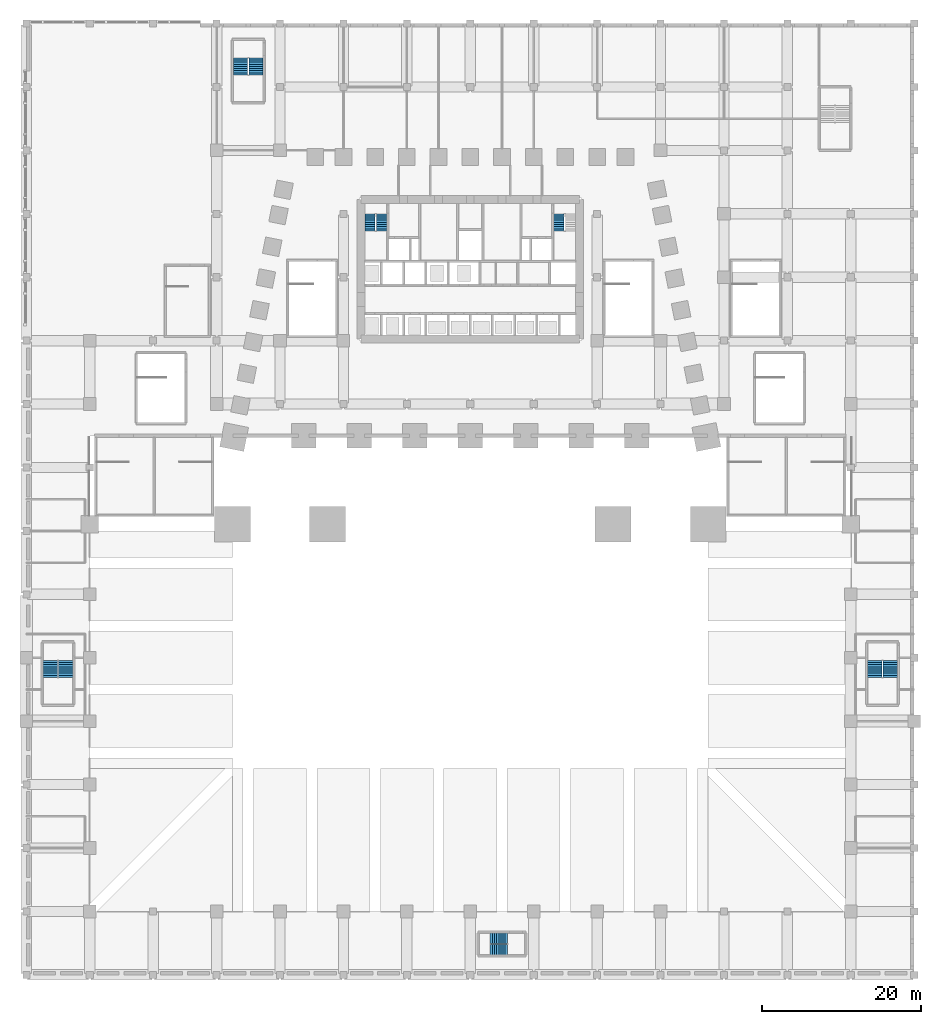
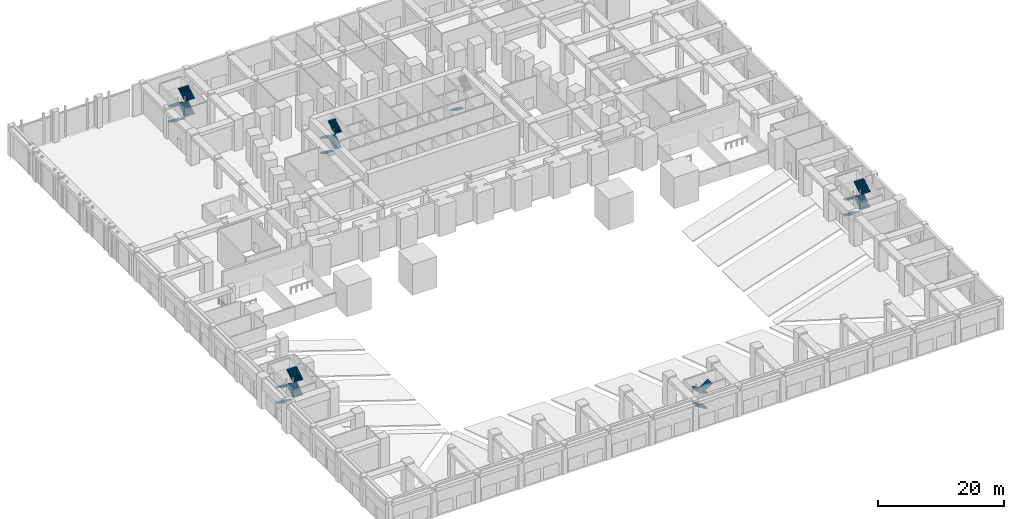
# One storey, part 16 of 28: 20 stair flights, 6 elements without a shape of their own.
"""IFC4 building model written with IfcOpenShell, lengths in metres."""

from ifc_helpers import new_model, si_unit, direction, frame, origin, place, context, subcontext, project, spatial, polyline, outline, extrude, material, type_object, element, aggregate, save


model = new_model("IFC4")

# Units and contexts
model_context = context("Model", 3, precision=1e-05, world=origin(), true_north=direction((0.0, 1.0)))
body_context = subcontext(model_context, "Body", "Model", "MODEL_VIEW")
ifc_project = project(units=[si_unit("LENGTHUNIT", "METRE"), si_unit("AREAUNIT", "SQUARE_METRE"), si_unit("VOLUMEUNIT", "CUBIC_METRE"), si_unit("PLANEANGLEUNIT", "RADIAN"), si_unit("MASSUNIT", "GRAM", prefix="KILO")], contexts=[model_context])

# Site, building, storey
site_placement = place(None, origin())
site = spatial("IfcSite", under=ifc_project, at=site_placement, CompositionType="ELEMENT")
building_placement = place(site_placement, origin())
building = spatial("IfcBuilding", under=site, at=building_placement, Name="Isbrekke Arena Tower", CompositionType="ELEMENT")
storey_placement = place(building_placement, origin())
storey = spatial("IfcBuildingStorey", under=building, at=storey_placement, Name="L00", CompositionType="ELEMENT", Elevation=0.0)

# Stair, stair flights
ifc_material_1 = material(Name="Concrete B45 (C45/55) precast", Category="concrete")
stair_type_1 = type_object("IfcStairType", Name="ST60 STAIR 1300 WIDE, 36 RISERS 167", PredefinedType="HALF_TURN_STAIR", material=ifc_material_1)
stair_1_placement = place(storey_placement, origin())
stair_1 = element("IfcStair", 1, at=stair_1_placement, inside=storey, type_object=stair_type_1, Name="ST1 stair L00", PredefinedType="HALF_TURN_STAIR")
ifc_material_2 = material(Name="Concrete B45 (C45/55) precast", Category="concrete")
stair_flight_type_1 = type_object("IfcStairFlightType", Name="SF 1300 FLIGHT", PredefinedType="STRAIGHT", material=ifc_material_2)
stair_flight_1_placement = place(storey_placement, frame((-12.64990234375, 22.0, 0.0), z_axis=(0.0, 0.0, 1.0), x_axis=(0.0, -1.0, 0.0)))
stair_flight_1 = element("IfcStairFlight", 2, at=stair_flight_1_placement, type_object=stair_flight_type_1, Name="ST1 flight 1", NumberOfRisers=9, NumberOfTreads=8, PredefinedType="STRAIGHT", RiserHeight=0.166666667, TreadLength=0.27, context=body_context, shape_type="SweptSolid", body=[
    extrude(outline(polyline([(0.0, 0.0), (0.0, 0.166748046875), (0.27001953125, 0.166748046875), (0.27001953125, 0.333251953125), (0.5400390625, 0.333251953125), (0.5400390625, 0.5), (0.81005859375, 0.5), (0.81005859375, 0.666748046875), (1.080078125, 0.666748046875), (1.080078125, 0.833251953125), (1.35009765625, 0.833251953125), (1.35009765625, 1.0), (1.6201171875, 1.0), (1.6201171875, 1.166748046875), (1.889892578125, 1.166748046875), (1.889892578125, 1.333251953125), (2.159912109375, 1.333251953125), (2.159912109375, 1.5), (2.159912109375, 1.1572265625), (0.285400390625, 0.0), (0.0, 0.0)])), frame((0.0, 0.64990234375, 0.0), z_axis=(0.0, -1.0, 0.0), x_axis=(1.0, 0.0, 0.0)), (0.0, 0.0, 1.0), 1.300048828125),
])
stair_flight_2_placement = place(storey_placement, frame((-11.175048828125, 19.840087890625, 1.5), z_axis=(0.0, 0.0, 1.0), x_axis=(0.0, 1.0, 0.0)))
stair_flight_2 = element("IfcStairFlight", 3, at=stair_flight_2_placement, type_object=stair_flight_type_1, Name="ST1 flight 2", NumberOfRisers=9, NumberOfTreads=8, PredefinedType="STRAIGHT", RiserHeight=0.166666667, TreadLength=0.27, context=body_context, shape_type="SweptSolid", body=[
    extrude(outline(polyline([(0.0, 0.0), (0.0, 0.166748046875), (0.27001953125, 0.166748046875), (0.27001953125, 0.333251953125), (0.5400390625, 0.333251953125), (0.5400390625, 0.5), (0.81005859375, 0.5), (0.81005859375, 0.666748046875), (1.080078125, 0.666748046875), (1.080078125, 0.833251953125), (1.35009765625, 0.833251953125), (1.35009765625, 1.0), (1.6201171875, 1.0), (1.6201171875, 1.166748046875), (1.889892578125, 1.166748046875), (1.889892578125, 1.333251953125), (2.159912109375, 1.333251953125), (2.159912109375, 1.5), (2.159912109375, 1.1572265625), (0.285400390625, 0.0), (0.0, 0.0)])), frame((0.0, 0.64990234375, 0.0), z_axis=(0.0, -1.0, 0.0), x_axis=(1.0, 0.0, 0.0)), (0.0, 0.0, 1.0), 1.300048828125),
])
stair_flight_3_placement = place(storey_placement, frame((-12.64990234375, 22.0, 3.0), z_axis=(0.0, 0.0, 1.0), x_axis=(0.0, -1.0, 0.0)))
stair_flight_3 = element("IfcStairFlight", 4, at=stair_flight_3_placement, type_object=stair_flight_type_1, Name="ST1 flight 3", NumberOfRisers=9, NumberOfTreads=8, PredefinedType="STRAIGHT", RiserHeight=0.166666667, TreadLength=0.27, context=body_context, shape_type="SweptSolid", body=[
    extrude(outline(polyline([(0.0, 0.0), (0.0, 0.166748046875), (0.27001953125, 0.166748046875), (0.27001953125, 0.333251953125), (0.5400390625, 0.333251953125), (0.5400390625, 0.5), (0.81005859375, 0.5), (0.81005859375, 0.666748046875), (1.080078125, 0.666748046875), (1.080078125, 0.833251953125), (1.35009765625, 0.833251953125), (1.35009765625, 1.0), (1.6201171875, 1.0), (1.6201171875, 1.166748046875), (1.889892578125, 1.166748046875), (1.889892578125, 1.333251953125), (2.159912109375, 1.333251953125), (2.159912109375, 1.5), (2.159912109375, 1.1572265625), (0.285400390625, 0.0), (0.0, 0.0)])), frame((0.0, 0.64990234375, 0.0), z_axis=(0.0, -1.0, 0.0), x_axis=(1.0, 0.0, 0.0)), (0.0, 0.0, 1.0), 1.300048828125),
])
stair_flight_4_placement = place(storey_placement, frame((-11.175048828125, 19.840087890625, 4.5), z_axis=(0.0, 0.0, 1.0), x_axis=(0.0, 1.0, 0.0)))
stair_flight_4 = element("IfcStairFlight", 5, at=stair_flight_4_placement, type_object=stair_flight_type_1, Name="ST1 flight 4", NumberOfRisers=9, NumberOfTreads=8, PredefinedType="STRAIGHT", RiserHeight=0.166666667, TreadLength=0.27, context=body_context, shape_type="SweptSolid", body=[
    extrude(outline(polyline([(0.0, 0.0), (0.0, 0.166748046875), (0.27001953125, 0.166748046875), (0.27001953125, 0.333251953125), (0.5400390625, 0.333251953125), (0.5400390625, 0.5), (0.81005859375, 0.5), (0.81005859375, 0.666748046875), (1.080078125, 0.666748046875), (1.080078125, 0.833251953125), (1.35009765625, 0.833251953125), (1.35009765625, 1.0), (1.6201171875, 1.0), (1.6201171875, 1.166748046875), (1.889892578125, 1.166748046875), (1.889892578125, 1.333251953125), (2.159912109375, 1.333251953125), (2.159912109375, 1.5), (2.159912109375, 1.1572265625), (0.285400390625, 0.0), (0.0, 0.0)])), frame((0.0, 0.64990234375, 0.0), z_axis=(0.0, -1.0, 0.0), x_axis=(1.0, 0.0, 0.0)), (0.0, 0.0, 1.0), 1.300048828125),
])
aggregate(stair_1, [stair_flight_1, stair_flight_2, stair_flight_3, stair_flight_4])

# Stair, stair flight
stair_2_placement = place(storey_placement, origin())
stair_2 = element("IfcStair", 6, at=stair_2_placement, inside=storey, type_object=stair_type_1, Name="ST2 stair L00", PredefinedType="HALF_TURN_STAIR")
stair_flight_5_placement = place(storey_placement, frame((11.175048828125, 22.0, 0.0), z_axis=(0.0, 0.0, 1.0), x_axis=(0.0, -1.0, 0.0)))
stair_flight_5 = element("IfcStairFlight", 7, at=stair_flight_5_placement, type_object=stair_flight_type_1, Name="ST2 flight 1", NumberOfRisers=9, NumberOfTreads=8, PredefinedType="STRAIGHT", RiserHeight=0.166666667, TreadLength=0.27, context=body_context, shape_type="SweptSolid", body=[
    extrude(outline(polyline([(0.0, 0.0), (0.0, 0.166748046875), (0.27001953125, 0.166748046875), (0.27001953125, 0.333251953125), (0.5400390625, 0.333251953125), (0.5400390625, 0.5), (0.81005859375, 0.5), (0.81005859375, 0.666748046875), (1.080078125, 0.666748046875), (1.080078125, 0.833251953125), (1.35009765625, 0.833251953125), (1.35009765625, 1.0), (1.6201171875, 1.0), (1.6201171875, 1.166748046875), (1.889892578125, 1.166748046875), (1.889892578125, 1.333251953125), (2.159912109375, 1.333251953125), (2.159912109375, 1.5), (2.159912109375, 1.1572265625), (0.285400390625, 0.0), (0.0, 0.0)])), frame((0.0, 0.64990234375, 0.0), z_axis=(0.0, -1.0, 0.0), x_axis=(1.0, 0.0, 0.0)), (0.0, 0.0, 1.0), 1.300048828125),
])
aggregate(stair_2, [stair_flight_5])

# Stair, stair flights
stair_3_placement = place(storey_placement, origin())
stair_3 = element("IfcStair", 8, at=stair_3_placement, inside=storey, type_object=stair_type_1, Name="P5 stair L00", PredefinedType="HALF_TURN_STAIR")
stair_flight_6_placement = place(storey_placement, frame((4.675048828125, -69.375, 0.0), z_axis=(0.0, 0.0, 1.0), x_axis=(-1.0, 0.0, 0.0)))
stair_flight_6 = element("IfcStairFlight", 9, at=stair_flight_6_placement, type_object=stair_flight_type_1, Name="P5 flight 1", NumberOfRisers=9, NumberOfTreads=8, PredefinedType="STRAIGHT", RiserHeight=0.166666667, TreadLength=0.27, context=body_context, shape_type="SweptSolid", body=[
    extrude(outline(polyline([(0.0, 0.0), (0.0, 0.166748046875), (0.27001953125, 0.166748046875), (0.27001953125, 0.333251953125), (0.5400390625, 0.333251953125), (0.5400390625, 0.5), (0.81005859375, 0.5), (0.81005859375, 0.666748046875), (1.080078125, 0.666748046875), (1.080078125, 0.833251953125), (1.35009765625, 0.833251953125), (1.35009765625, 1.0), (1.6201171875, 1.0), (1.6201171875, 1.166748046875), (1.889892578125, 1.166748046875), (1.889892578125, 1.333251953125), (2.159912109375, 1.333251953125), (2.159912109375, 1.5), (2.159912109375, 1.1572265625), (0.285400390625, 0.0), (0.0, 0.0)])), frame((0.0, 0.64990234375, 0.0), z_axis=(0.0, -1.0, 0.0), x_axis=(1.0, 0.0, 0.0)), (0.0, 0.0, 1.0), 1.300048828125),
])
stair_flight_7_placement = place(storey_placement, frame((4.675048828125, -69.375, 3.0), z_axis=(0.0, 0.0, 1.0), x_axis=(-1.0, 0.0, 0.0)))
stair_flight_7 = element("IfcStairFlight", 10, at=stair_flight_7_placement, type_object=stair_flight_type_1, Name="P5 flight 3", NumberOfRisers=9, NumberOfTreads=8, PredefinedType="STRAIGHT", RiserHeight=0.166666667, TreadLength=0.27, context=body_context, shape_type="SweptSolid", body=[
    extrude(outline(polyline([(0.0, 0.0), (0.0, 0.166748046875), (0.27001953125, 0.166748046875), (0.27001953125, 0.333251953125), (0.5400390625, 0.333251953125), (0.5400390625, 0.5), (0.81005859375, 0.5), (0.81005859375, 0.666748046875), (1.080078125, 0.666748046875), (1.080078125, 0.833251953125), (1.35009765625, 0.833251953125), (1.35009765625, 1.0), (1.6201171875, 1.0), (1.6201171875, 1.166748046875), (1.889892578125, 1.166748046875), (1.889892578125, 1.333251953125), (2.159912109375, 1.333251953125), (2.159912109375, 1.5), (2.159912109375, 1.1572265625), (0.285400390625, 0.0), (0.0, 0.0)])), frame((0.0, 0.64990234375, 0.0), z_axis=(0.0, -1.0, 0.0), x_axis=(1.0, 0.0, 0.0)), (0.0, 0.0, 1.0), 1.300048828125),
])
stair_flight_8_placement = place(storey_placement, frame((2.514892578125, -70.824951171875, 4.5), z_axis=(0.0, 0.0, 1.0), x_axis=(1.0, 0.0, 0.0)))
stair_flight_8 = element("IfcStairFlight", 11, at=stair_flight_8_placement, type_object=stair_flight_type_1, Name="P5 flight 4", NumberOfRisers=9, NumberOfTreads=8, PredefinedType="STRAIGHT", RiserHeight=0.166666667, TreadLength=0.27, context=body_context, shape_type="SweptSolid", body=[
    extrude(outline(polyline([(0.0, 0.0), (0.0, 0.166748046875), (0.27001953125, 0.166748046875), (0.27001953125, 0.333251953125), (0.5400390625, 0.333251953125), (0.5400390625, 0.5), (0.81005859375, 0.5), (0.81005859375, 0.666748046875), (1.080078125, 0.666748046875), (1.080078125, 0.833251953125), (1.35009765625, 0.833251953125), (1.35009765625, 1.0), (1.6201171875, 1.0), (1.6201171875, 1.166748046875), (1.889892578125, 1.166748046875), (1.889892578125, 1.333251953125), (2.159912109375, 1.333251953125), (2.159912109375, 1.5), (2.159912109375, 1.1572265625), (0.285400390625, 0.0), (0.0, 0.0)])), frame((0.0, 0.64990234375, 0.0), z_axis=(0.0, -1.0, 0.0), x_axis=(1.0, 0.0, 0.0)), (0.0, 0.0, 1.0), 1.300048828125),
])
aggregate(stair_3, [stair_flight_6, stair_flight_7, stair_flight_8])

ifc_material_3 = material(Name="Concrete B45 (C45/55) precast", Category="concrete")
stair_type_2 = type_object("IfcStairType", Name="ST60 STAIR 1800 WIDE, 36 RISERS 167", PredefinedType="HALF_TURN_STAIR", material=ifc_material_3)
stair_4_placement = place(storey_placement, origin())
stair_4 = element("IfcStair", 12, at=stair_4_placement, inside=storey, type_object=stair_type_2, Name="P2 stair L00", PredefinedType="HALF_TURN_STAIR")
ifc_material_4 = material(Name="Concrete B45 (C45/55) precast", Category="concrete")
stair_flight_type_2 = type_object("IfcStairFlightType", Name="SF 1800 FLIGHT", PredefinedType="STRAIGHT", material=ifc_material_4)
stair_flight_9_placement = place(storey_placement, frame((-28.97509765625, 41.675048828125, 0.0), z_axis=(0.0, 0.0, 1.0), x_axis=(0.0, -1.0, 0.0)))
stair_flight_9 = element("IfcStairFlight", 13, at=stair_flight_9_placement, type_object=stair_flight_type_2, Name="P2 flight 1", NumberOfRisers=9, NumberOfTreads=8, PredefinedType="STRAIGHT", RiserHeight=0.166666667, TreadLength=0.27, context=body_context, shape_type="SweptSolid", body=[
    extrude(outline(polyline([(0.0, 0.0), (0.0, 0.166748046875), (0.27001953125, 0.166748046875), (0.27001953125, 0.333251953125), (0.5400390625, 0.333251953125), (0.5400390625, 0.5), (0.81005859375, 0.5), (0.81005859375, 0.666748046875), (1.080078125, 0.666748046875), (1.080078125, 0.833251953125), (1.35009765625, 0.833251953125), (1.35009765625, 1.0), (1.6201171875, 1.0), (1.6201171875, 1.166748046875), (1.889892578125, 1.166748046875), (1.889892578125, 1.333251953125), (2.159912109375, 1.333251953125), (2.159912109375, 1.5), (2.159912109375, 1.1572265625), (0.285400390625, 0.0), (0.0, 0.0)])), frame((0.0, 0.89990234375, 0.0), z_axis=(0.0, -1.0, 0.0), x_axis=(1.0, 0.0, 0.0)), (0.0, 0.0, 1.0), 0.90087890625),
    extrude(outline(polyline([(0.0, 0.0), (0.0, 0.166748046875), (0.27001953125, 0.166748046875), (0.27001953125, 0.333251953125), (0.5400390625, 0.333251953125), (0.5400390625, 0.5), (0.81005859375, 0.5), (0.81005859375, 0.666748046875), (1.080078125, 0.666748046875), (1.080078125, 0.833251953125), (1.35009765625, 0.833251953125), (1.35009765625, 1.0), (1.6201171875, 1.0), (1.6201171875, 1.166748046875), (1.889892578125, 1.166748046875), (1.889892578125, 1.333251953125), (2.159912109375, 1.333251953125), (2.159912109375, 1.5), (2.159912109375, 1.1572265625), (0.285400390625, 0.0), (0.0, 0.0)])), frame((0.0, 0.0009765625, 0.0), z_axis=(0.0, -1.0, 0.0), x_axis=(1.0, 0.0, 0.0)), (0.0, 0.0, 1.0), 0.90087890625),
])
stair_flight_10_placement = place(storey_placement, frame((-27.02490234375, 39.514892578125, 1.5), z_axis=(0.0, 0.0, 1.0), x_axis=(0.0, 1.0, 0.0)))
stair_flight_10 = element("IfcStairFlight", 14, at=stair_flight_10_placement, type_object=stair_flight_type_2, Name="P2 flight 2", NumberOfRisers=9, NumberOfTreads=8, PredefinedType="STRAIGHT", RiserHeight=0.166666667, TreadLength=0.27, context=body_context, shape_type="SweptSolid", body=[
    extrude(outline(polyline([(0.0, 0.0), (0.0, 0.166748046875), (0.27001953125, 0.166748046875), (0.27001953125, 0.333251953125), (0.5400390625, 0.333251953125), (0.5400390625, 0.5), (0.81005859375, 0.5), (0.81005859375, 0.666748046875), (1.080078125, 0.666748046875), (1.080078125, 0.833251953125), (1.35009765625, 0.833251953125), (1.35009765625, 1.0), (1.6201171875, 1.0), (1.6201171875, 1.166748046875), (1.889892578125, 1.166748046875), (1.889892578125, 1.333251953125), (2.159912109375, 1.333251953125), (2.159912109375, 1.5), (2.159912109375, 1.1572265625), (0.285400390625, 0.0), (0.0, 0.0)])), frame((0.0, 0.89990234375, 0.0), z_axis=(0.0, -1.0, 0.0), x_axis=(1.0, 0.0, 0.0)), (0.0, 0.0, 1.0), 0.90087890625),
    extrude(outline(polyline([(0.0, 0.0), (0.0, 0.166748046875), (0.27001953125, 0.166748046875), (0.27001953125, 0.333251953125), (0.5400390625, 0.333251953125), (0.5400390625, 0.5), (0.81005859375, 0.5), (0.81005859375, 0.666748046875), (1.080078125, 0.666748046875), (1.080078125, 0.833251953125), (1.35009765625, 0.833251953125), (1.35009765625, 1.0), (1.6201171875, 1.0), (1.6201171875, 1.166748046875), (1.889892578125, 1.166748046875), (1.889892578125, 1.333251953125), (2.159912109375, 1.333251953125), (2.159912109375, 1.5), (2.159912109375, 1.1572265625), (0.285400390625, 0.0), (0.0, 0.0)])), frame((0.0, 0.0009765625, 0.0), z_axis=(0.0, -1.0, 0.0), x_axis=(1.0, 0.0, 0.0)), (0.0, 0.0, 1.0), 0.90087890625),
])
stair_flight_11_placement = place(storey_placement, frame((-28.97509765625, 41.675048828125, 3.0), z_axis=(0.0, 0.0, 1.0), x_axis=(0.0, -1.0, 0.0)))
stair_flight_11 = element("IfcStairFlight", 15, at=stair_flight_11_placement, type_object=stair_flight_type_2, Name="P2 flight 3", NumberOfRisers=9, NumberOfTreads=8, PredefinedType="STRAIGHT", RiserHeight=0.166666667, TreadLength=0.27, context=body_context, shape_type="SweptSolid", body=[
    extrude(outline(polyline([(0.0, 0.0), (0.0, 0.166748046875), (0.27001953125, 0.166748046875), (0.27001953125, 0.333251953125), (0.5400390625, 0.333251953125), (0.5400390625, 0.5), (0.81005859375, 0.5), (0.81005859375, 0.666748046875), (1.080078125, 0.666748046875), (1.080078125, 0.833251953125), (1.35009765625, 0.833251953125), (1.35009765625, 1.0), (1.6201171875, 1.0), (1.6201171875, 1.166748046875), (1.889892578125, 1.166748046875), (1.889892578125, 1.333251953125), (2.159912109375, 1.333251953125), (2.159912109375, 1.5), (2.159912109375, 1.1572265625), (0.285400390625, 0.0), (0.0, 0.0)])), frame((0.0, 0.89990234375, 0.0), z_axis=(0.0, -1.0, 0.0), x_axis=(1.0, 0.0, 0.0)), (0.0, 0.0, 1.0), 0.90087890625),
    extrude(outline(polyline([(0.0, 0.0), (0.0, 0.166748046875), (0.27001953125, 0.166748046875), (0.27001953125, 0.333251953125), (0.5400390625, 0.333251953125), (0.5400390625, 0.5), (0.81005859375, 0.5), (0.81005859375, 0.666748046875), (1.080078125, 0.666748046875), (1.080078125, 0.833251953125), (1.35009765625, 0.833251953125), (1.35009765625, 1.0), (1.6201171875, 1.0), (1.6201171875, 1.166748046875), (1.889892578125, 1.166748046875), (1.889892578125, 1.333251953125), (2.159912109375, 1.333251953125), (2.159912109375, 1.5), (2.159912109375, 1.1572265625), (0.285400390625, 0.0), (0.0, 0.0)])), frame((0.0, 0.0009765625, 0.0), z_axis=(0.0, -1.0, 0.0), x_axis=(1.0, 0.0, 0.0)), (0.0, 0.0, 1.0), 0.90087890625),
])
stair_flight_12_placement = place(storey_placement, frame((-27.02490234375, 39.514892578125, 4.5), z_axis=(0.0, 0.0, 1.0), x_axis=(0.0, 1.0, 0.0)))
stair_flight_12 = element("IfcStairFlight", 16, at=stair_flight_12_placement, type_object=stair_flight_type_2, Name="P2 flight 4", NumberOfRisers=9, NumberOfTreads=8, PredefinedType="STRAIGHT", RiserHeight=0.166666667, TreadLength=0.27, context=body_context, shape_type="SweptSolid", body=[
    extrude(outline(polyline([(0.0, 0.0), (0.0, 0.166748046875), (0.27001953125, 0.166748046875), (0.27001953125, 0.333251953125), (0.5400390625, 0.333251953125), (0.5400390625, 0.5), (0.81005859375, 0.5), (0.81005859375, 0.666748046875), (1.080078125, 0.666748046875), (1.080078125, 0.833251953125), (1.35009765625, 0.833251953125), (1.35009765625, 1.0), (1.6201171875, 1.0), (1.6201171875, 1.166748046875), (1.889892578125, 1.166748046875), (1.889892578125, 1.333251953125), (2.159912109375, 1.333251953125), (2.159912109375, 1.5), (2.159912109375, 1.1572265625), (0.285400390625, 0.0), (0.0, 0.0)])), frame((0.0, 0.89990234375, 0.0), z_axis=(0.0, -1.0, 0.0), x_axis=(1.0, 0.0, 0.0)), (0.0, 0.0, 1.0), 0.90087890625),
    extrude(outline(polyline([(0.0, 0.0), (0.0, 0.166748046875), (0.27001953125, 0.166748046875), (0.27001953125, 0.333251953125), (0.5400390625, 0.333251953125), (0.5400390625, 0.5), (0.81005859375, 0.5), (0.81005859375, 0.666748046875), (1.080078125, 0.666748046875), (1.080078125, 0.833251953125), (1.35009765625, 0.833251953125), (1.35009765625, 1.0), (1.6201171875, 1.0), (1.6201171875, 1.166748046875), (1.889892578125, 1.166748046875), (1.889892578125, 1.333251953125), (2.159912109375, 1.333251953125), (2.159912109375, 1.5), (2.159912109375, 1.1572265625), (0.285400390625, 0.0), (0.0, 0.0)])), frame((0.0, 0.0009765625, 0.0), z_axis=(0.0, -1.0, 0.0), x_axis=(1.0, 0.0, 0.0)), (0.0, 0.0, 1.0), 0.90087890625),
])
aggregate(stair_4, [stair_flight_9, stair_flight_10, stair_flight_11, stair_flight_12])

stair_5_placement = place(storey_placement, origin())
stair_5 = element("IfcStair", 17, at=stair_5_placement, inside=storey, type_object=stair_type_2, Name="P3 stair L00", PredefinedType="HALF_TURN_STAIR")
stair_flight_13_placement = place(storey_placement, frame((51.02490234375, -34.324951171875, 0.0), z_axis=(0.0, 0.0, 1.0), x_axis=(0.0, -1.0, 0.0)))
stair_flight_13 = element("IfcStairFlight", 18, at=stair_flight_13_placement, type_object=stair_flight_type_2, Name="P3 flight 1", NumberOfRisers=9, NumberOfTreads=8, PredefinedType="STRAIGHT", RiserHeight=0.166666667, TreadLength=0.27, context=body_context, shape_type="SweptSolid", body=[
    extrude(outline(polyline([(0.0, 0.0), (0.0, 0.166748046875), (0.27001953125, 0.166748046875), (0.27001953125, 0.333251953125), (0.5400390625, 0.333251953125), (0.5400390625, 0.5), (0.81005859375, 0.5), (0.81005859375, 0.666748046875), (1.080078125, 0.666748046875), (1.080078125, 0.833251953125), (1.35009765625, 0.833251953125), (1.35009765625, 1.0), (1.6201171875, 1.0), (1.6201171875, 1.166748046875), (1.889892578125, 1.166748046875), (1.889892578125, 1.333251953125), (2.159912109375, 1.333251953125), (2.159912109375, 1.5), (2.159912109375, 1.1572265625), (0.285400390625, 0.0), (0.0, 0.0)])), frame((0.0, 0.89990234375, 0.0), z_axis=(0.0, -1.0, 0.0), x_axis=(1.0, 0.0, 0.0)), (0.0, 0.0, 1.0), 0.90087890625),
    extrude(outline(polyline([(0.0, 0.0), (0.0, 0.166748046875), (0.27001953125, 0.166748046875), (0.27001953125, 0.333251953125), (0.5400390625, 0.333251953125), (0.5400390625, 0.5), (0.81005859375, 0.5), (0.81005859375, 0.666748046875), (1.080078125, 0.666748046875), (1.080078125, 0.833251953125), (1.35009765625, 0.833251953125), (1.35009765625, 1.0), (1.6201171875, 1.0), (1.6201171875, 1.166748046875), (1.889892578125, 1.166748046875), (1.889892578125, 1.333251953125), (2.159912109375, 1.333251953125), (2.159912109375, 1.5), (2.159912109375, 1.1572265625), (0.285400390625, 0.0), (0.0, 0.0)])), frame((0.0, 0.0009765625, 0.0), z_axis=(0.0, -1.0, 0.0), x_axis=(1.0, 0.0, 0.0)), (0.0, 0.0, 1.0), 0.90087890625),
])
stair_flight_14_placement = place(storey_placement, frame((52.97509765625, -36.485107421875, 1.5), z_axis=(0.0, 0.0, 1.0), x_axis=(0.0, 1.0, 0.0)))
stair_flight_14 = element("IfcStairFlight", 19, at=stair_flight_14_placement, type_object=stair_flight_type_2, Name="P3 flight 2", NumberOfRisers=9, NumberOfTreads=8, PredefinedType="STRAIGHT", RiserHeight=0.166666667, TreadLength=0.27, context=body_context, shape_type="SweptSolid", body=[
    extrude(outline(polyline([(0.0, 0.0), (0.0, 0.166748046875), (0.27001953125, 0.166748046875), (0.27001953125, 0.333251953125), (0.5400390625, 0.333251953125), (0.5400390625, 0.5), (0.81005859375, 0.5), (0.81005859375, 0.666748046875), (1.080078125, 0.666748046875), (1.080078125, 0.833251953125), (1.35009765625, 0.833251953125), (1.35009765625, 1.0), (1.6201171875, 1.0), (1.6201171875, 1.166748046875), (1.889892578125, 1.166748046875), (1.889892578125, 1.333251953125), (2.159912109375, 1.333251953125), (2.159912109375, 1.5), (2.159912109375, 1.1572265625), (0.285400390625, 0.0), (0.0, 0.0)])), frame((0.0, 0.89990234375, 0.0), z_axis=(0.0, -1.0, 0.0), x_axis=(1.0, 0.0, 0.0)), (0.0, 0.0, 1.0), 0.90087890625),
    extrude(outline(polyline([(0.0, 0.0), (0.0, 0.166748046875), (0.27001953125, 0.166748046875), (0.27001953125, 0.333251953125), (0.5400390625, 0.333251953125), (0.5400390625, 0.5), (0.81005859375, 0.5), (0.81005859375, 0.666748046875), (1.080078125, 0.666748046875), (1.080078125, 0.833251953125), (1.35009765625, 0.833251953125), (1.35009765625, 1.0), (1.6201171875, 1.0), (1.6201171875, 1.166748046875), (1.889892578125, 1.166748046875), (1.889892578125, 1.333251953125), (2.159912109375, 1.333251953125), (2.159912109375, 1.5), (2.159912109375, 1.1572265625), (0.285400390625, 0.0), (0.0, 0.0)])), frame((0.0, 0.0009765625, 0.0), z_axis=(0.0, -1.0, 0.0), x_axis=(1.0, 0.0, 0.0)), (0.0, 0.0, 1.0), 0.90087890625),
])
stair_flight_15_placement = place(storey_placement, frame((51.02490234375, -34.324951171875, 3.0), z_axis=(0.0, 0.0, 1.0), x_axis=(0.0, -1.0, 0.0)))
stair_flight_15 = element("IfcStairFlight", 20, at=stair_flight_15_placement, type_object=stair_flight_type_2, Name="P3 flight 3", NumberOfRisers=9, NumberOfTreads=8, PredefinedType="STRAIGHT", RiserHeight=0.166666667, TreadLength=0.27, context=body_context, shape_type="SweptSolid", body=[
    extrude(outline(polyline([(0.0, 0.0), (0.0, 0.166748046875), (0.27001953125, 0.166748046875), (0.27001953125, 0.333251953125), (0.5400390625, 0.333251953125), (0.5400390625, 0.5), (0.81005859375, 0.5), (0.81005859375, 0.666748046875), (1.080078125, 0.666748046875), (1.080078125, 0.833251953125), (1.35009765625, 0.833251953125), (1.35009765625, 1.0), (1.6201171875, 1.0), (1.6201171875, 1.166748046875), (1.889892578125, 1.166748046875), (1.889892578125, 1.333251953125), (2.159912109375, 1.333251953125), (2.159912109375, 1.5), (2.159912109375, 1.1572265625), (0.285400390625, 0.0), (0.0, 0.0)])), frame((0.0, 0.89990234375, 0.0), z_axis=(0.0, -1.0, 0.0), x_axis=(1.0, 0.0, 0.0)), (0.0, 0.0, 1.0), 0.90087890625),
    extrude(outline(polyline([(0.0, 0.0), (0.0, 0.166748046875), (0.27001953125, 0.166748046875), (0.27001953125, 0.333251953125), (0.5400390625, 0.333251953125), (0.5400390625, 0.5), (0.81005859375, 0.5), (0.81005859375, 0.666748046875), (1.080078125, 0.666748046875), (1.080078125, 0.833251953125), (1.35009765625, 0.833251953125), (1.35009765625, 1.0), (1.6201171875, 1.0), (1.6201171875, 1.166748046875), (1.889892578125, 1.166748046875), (1.889892578125, 1.333251953125), (2.159912109375, 1.333251953125), (2.159912109375, 1.5), (2.159912109375, 1.1572265625), (0.285400390625, 0.0), (0.0, 0.0)])), frame((0.0, 0.0009765625, 0.0), z_axis=(0.0, -1.0, 0.0), x_axis=(1.0, 0.0, 0.0)), (0.0, 0.0, 1.0), 0.90087890625),
])
stair_flight_16_placement = place(storey_placement, frame((52.97509765625, -36.485107421875, 4.5), z_axis=(0.0, 0.0, 1.0), x_axis=(0.0, 1.0, 0.0)))
stair_flight_16 = element("IfcStairFlight", 21, at=stair_flight_16_placement, type_object=stair_flight_type_2, Name="P3 flight 4", NumberOfRisers=9, NumberOfTreads=8, PredefinedType="STRAIGHT", RiserHeight=0.166666667, TreadLength=0.27, context=body_context, shape_type="SweptSolid", body=[
    extrude(outline(polyline([(0.0, 0.0), (0.0, 0.166748046875), (0.27001953125, 0.166748046875), (0.27001953125, 0.333251953125), (0.5400390625, 0.333251953125), (0.5400390625, 0.5), (0.81005859375, 0.5), (0.81005859375, 0.666748046875), (1.080078125, 0.666748046875), (1.080078125, 0.833251953125), (1.35009765625, 0.833251953125), (1.35009765625, 1.0), (1.6201171875, 1.0), (1.6201171875, 1.166748046875), (1.889892578125, 1.166748046875), (1.889892578125, 1.333251953125), (2.159912109375, 1.333251953125), (2.159912109375, 1.5), (2.159912109375, 1.1572265625), (0.285400390625, 0.0), (0.0, 0.0)])), frame((0.0, 0.89990234375, 0.0), z_axis=(0.0, -1.0, 0.0), x_axis=(1.0, 0.0, 0.0)), (0.0, 0.0, 1.0), 0.90087890625),
    extrude(outline(polyline([(0.0, 0.0), (0.0, 0.166748046875), (0.27001953125, 0.166748046875), (0.27001953125, 0.333251953125), (0.5400390625, 0.333251953125), (0.5400390625, 0.5), (0.81005859375, 0.5), (0.81005859375, 0.666748046875), (1.080078125, 0.666748046875), (1.080078125, 0.833251953125), (1.35009765625, 0.833251953125), (1.35009765625, 1.0), (1.6201171875, 1.0), (1.6201171875, 1.166748046875), (1.889892578125, 1.166748046875), (1.889892578125, 1.333251953125), (2.159912109375, 1.333251953125), (2.159912109375, 1.5), (2.159912109375, 1.1572265625), (0.285400390625, 0.0), (0.0, 0.0)])), frame((0.0, 0.0009765625, 0.0), z_axis=(0.0, -1.0, 0.0), x_axis=(1.0, 0.0, 0.0)), (0.0, 0.0, 1.0), 0.90087890625),
])
aggregate(stair_5, [stair_flight_13, stair_flight_14, stair_flight_15, stair_flight_16])

stair_6_placement = place(storey_placement, origin())
stair_6 = element("IfcStair", 22, at=stair_6_placement, inside=storey, type_object=stair_type_2, Name="P4 stair L00", PredefinedType="HALF_TURN_STAIR")
stair_flight_17_placement = place(storey_placement, frame((-52.97509765625, -34.324951171875, 0.0), z_axis=(0.0, 0.0, 1.0), x_axis=(0.0, -1.0, 0.0)))
stair_flight_17 = element("IfcStairFlight", 23, at=stair_flight_17_placement, type_object=stair_flight_type_2, Name="P4 flight 1", NumberOfRisers=9, NumberOfTreads=8, PredefinedType="STRAIGHT", RiserHeight=0.166666667, TreadLength=0.27, context=body_context, shape_type="SweptSolid", body=[
    extrude(outline(polyline([(0.0, 0.0), (0.0, 0.166748046875), (0.27001953125, 0.166748046875), (0.27001953125, 0.333251953125), (0.5400390625, 0.333251953125), (0.5400390625, 0.5), (0.81005859375, 0.5), (0.81005859375, 0.666748046875), (1.080078125, 0.666748046875), (1.080078125, 0.833251953125), (1.35009765625, 0.833251953125), (1.35009765625, 1.0), (1.6201171875, 1.0), (1.6201171875, 1.166748046875), (1.889892578125, 1.166748046875), (1.889892578125, 1.333251953125), (2.159912109375, 1.333251953125), (2.159912109375, 1.5), (2.159912109375, 1.1572265625), (0.285400390625, 0.0), (0.0, 0.0)])), frame((0.0, 0.89990234375, 0.0), z_axis=(0.0, -1.0, 0.0), x_axis=(1.0, 0.0, 0.0)), (0.0, 0.0, 1.0), 0.90087890625),
    extrude(outline(polyline([(0.0, 0.0), (0.0, 0.166748046875), (0.27001953125, 0.166748046875), (0.27001953125, 0.333251953125), (0.5400390625, 0.333251953125), (0.5400390625, 0.5), (0.81005859375, 0.5), (0.81005859375, 0.666748046875), (1.080078125, 0.666748046875), (1.080078125, 0.833251953125), (1.35009765625, 0.833251953125), (1.35009765625, 1.0), (1.6201171875, 1.0), (1.6201171875, 1.166748046875), (1.889892578125, 1.166748046875), (1.889892578125, 1.333251953125), (2.159912109375, 1.333251953125), (2.159912109375, 1.5), (2.159912109375, 1.1572265625), (0.285400390625, 0.0), (0.0, 0.0)])), frame((0.0, 0.0009765625, 0.0), z_axis=(0.0, -1.0, 0.0), x_axis=(1.0, 0.0, 0.0)), (0.0, 0.0, 1.0), 0.90087890625),
])
stair_flight_18_placement = place(storey_placement, frame((-51.02490234375, -36.485107421875, 1.5), z_axis=(0.0, 0.0, 1.0), x_axis=(0.0, 1.0, 0.0)))
stair_flight_18 = element("IfcStairFlight", 24, at=stair_flight_18_placement, type_object=stair_flight_type_2, Name="P4 flight 2", NumberOfRisers=9, NumberOfTreads=8, PredefinedType="STRAIGHT", RiserHeight=0.166666667, TreadLength=0.27, context=body_context, shape_type="SweptSolid", body=[
    extrude(outline(polyline([(0.0, 0.0), (0.0, 0.166748046875), (0.27001953125, 0.166748046875), (0.27001953125, 0.333251953125), (0.5400390625, 0.333251953125), (0.5400390625, 0.5), (0.81005859375, 0.5), (0.81005859375, 0.666748046875), (1.080078125, 0.666748046875), (1.080078125, 0.833251953125), (1.35009765625, 0.833251953125), (1.35009765625, 1.0), (1.6201171875, 1.0), (1.6201171875, 1.166748046875), (1.889892578125, 1.166748046875), (1.889892578125, 1.333251953125), (2.159912109375, 1.333251953125), (2.159912109375, 1.5), (2.159912109375, 1.1572265625), (0.285400390625, 0.0), (0.0, 0.0)])), frame((0.0, 0.89990234375, 0.0), z_axis=(0.0, -1.0, 0.0), x_axis=(1.0, 0.0, 0.0)), (0.0, 0.0, 1.0), 0.90087890625),
    extrude(outline(polyline([(0.0, 0.0), (0.0, 0.166748046875), (0.27001953125, 0.166748046875), (0.27001953125, 0.333251953125), (0.5400390625, 0.333251953125), (0.5400390625, 0.5), (0.81005859375, 0.5), (0.81005859375, 0.666748046875), (1.080078125, 0.666748046875), (1.080078125, 0.833251953125), (1.35009765625, 0.833251953125), (1.35009765625, 1.0), (1.6201171875, 1.0), (1.6201171875, 1.166748046875), (1.889892578125, 1.166748046875), (1.889892578125, 1.333251953125), (2.159912109375, 1.333251953125), (2.159912109375, 1.5), (2.159912109375, 1.1572265625), (0.285400390625, 0.0), (0.0, 0.0)])), frame((0.0, 0.0009765625, 0.0), z_axis=(0.0, -1.0, 0.0), x_axis=(1.0, 0.0, 0.0)), (0.0, 0.0, 1.0), 0.90087890625),
])
stair_flight_19_placement = place(storey_placement, frame((-52.97509765625, -34.324951171875, 3.0), z_axis=(0.0, 0.0, 1.0), x_axis=(0.0, -1.0, 0.0)))
stair_flight_19 = element("IfcStairFlight", 25, at=stair_flight_19_placement, type_object=stair_flight_type_2, Name="P4 flight 3", NumberOfRisers=9, NumberOfTreads=8, PredefinedType="STRAIGHT", RiserHeight=0.166666667, TreadLength=0.27, context=body_context, shape_type="SweptSolid", body=[
    extrude(outline(polyline([(0.0, 0.0), (0.0, 0.166748046875), (0.27001953125, 0.166748046875), (0.27001953125, 0.333251953125), (0.5400390625, 0.333251953125), (0.5400390625, 0.5), (0.81005859375, 0.5), (0.81005859375, 0.666748046875), (1.080078125, 0.666748046875), (1.080078125, 0.833251953125), (1.35009765625, 0.833251953125), (1.35009765625, 1.0), (1.6201171875, 1.0), (1.6201171875, 1.166748046875), (1.889892578125, 1.166748046875), (1.889892578125, 1.333251953125), (2.159912109375, 1.333251953125), (2.159912109375, 1.5), (2.159912109375, 1.1572265625), (0.285400390625, 0.0), (0.0, 0.0)])), frame((0.0, 0.89990234375, 0.0), z_axis=(0.0, -1.0, 0.0), x_axis=(1.0, 0.0, 0.0)), (0.0, 0.0, 1.0), 0.90087890625),
    extrude(outline(polyline([(0.0, 0.0), (0.0, 0.166748046875), (0.27001953125, 0.166748046875), (0.27001953125, 0.333251953125), (0.5400390625, 0.333251953125), (0.5400390625, 0.5), (0.81005859375, 0.5), (0.81005859375, 0.666748046875), (1.080078125, 0.666748046875), (1.080078125, 0.833251953125), (1.35009765625, 0.833251953125), (1.35009765625, 1.0), (1.6201171875, 1.0), (1.6201171875, 1.166748046875), (1.889892578125, 1.166748046875), (1.889892578125, 1.333251953125), (2.159912109375, 1.333251953125), (2.159912109375, 1.5), (2.159912109375, 1.1572265625), (0.285400390625, 0.0), (0.0, 0.0)])), frame((0.0, 0.0009765625, 0.0), z_axis=(0.0, -1.0, 0.0), x_axis=(1.0, 0.0, 0.0)), (0.0, 0.0, 1.0), 0.90087890625),
])
stair_flight_20_placement = place(storey_placement, frame((-51.02490234375, -36.485107421875, 4.5), z_axis=(0.0, 0.0, 1.0), x_axis=(0.0, 1.0, 0.0)))
stair_flight_20 = element("IfcStairFlight", 26, at=stair_flight_20_placement, type_object=stair_flight_type_2, Name="P4 flight 4", NumberOfRisers=9, NumberOfTreads=8, PredefinedType="STRAIGHT", RiserHeight=0.166666667, TreadLength=0.27, context=body_context, shape_type="SweptSolid", body=[
    extrude(outline(polyline([(0.0, 0.0), (0.0, 0.166748046875), (0.27001953125, 0.166748046875), (0.27001953125, 0.333251953125), (0.5400390625, 0.333251953125), (0.5400390625, 0.5), (0.81005859375, 0.5), (0.81005859375, 0.666748046875), (1.080078125, 0.666748046875), (1.080078125, 0.833251953125), (1.35009765625, 0.833251953125), (1.35009765625, 1.0), (1.6201171875, 1.0), (1.6201171875, 1.166748046875), (1.889892578125, 1.166748046875), (1.889892578125, 1.333251953125), (2.159912109375, 1.333251953125), (2.159912109375, 1.5), (2.159912109375, 1.1572265625), (0.285400390625, 0.0), (0.0, 0.0)])), frame((0.0, 0.89990234375, 0.0), z_axis=(0.0, -1.0, 0.0), x_axis=(1.0, 0.0, 0.0)), (0.0, 0.0, 1.0), 0.90087890625),
    extrude(outline(polyline([(0.0, 0.0), (0.0, 0.166748046875), (0.27001953125, 0.166748046875), (0.27001953125, 0.333251953125), (0.5400390625, 0.333251953125), (0.5400390625, 0.5), (0.81005859375, 0.5), (0.81005859375, 0.666748046875), (1.080078125, 0.666748046875), (1.080078125, 0.833251953125), (1.35009765625, 0.833251953125), (1.35009765625, 1.0), (1.6201171875, 1.0), (1.6201171875, 1.166748046875), (1.889892578125, 1.166748046875), (1.889892578125, 1.333251953125), (2.159912109375, 1.333251953125), (2.159912109375, 1.5), (2.159912109375, 1.1572265625), (0.285400390625, 0.0), (0.0, 0.0)])), frame((0.0, 0.0009765625, 0.0), z_axis=(0.0, -1.0, 0.0), x_axis=(1.0, 0.0, 0.0)), (0.0, 0.0, 1.0), 0.90087890625),
])
aggregate(stair_6, [stair_flight_17, stair_flight_18, stair_flight_19, stair_flight_20])

save(model, "model.ifc")
